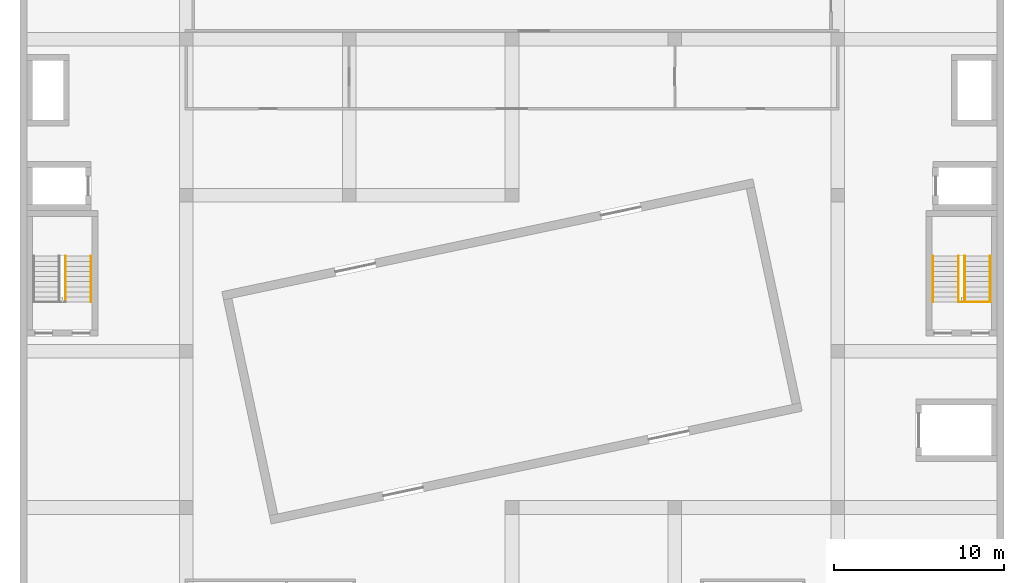
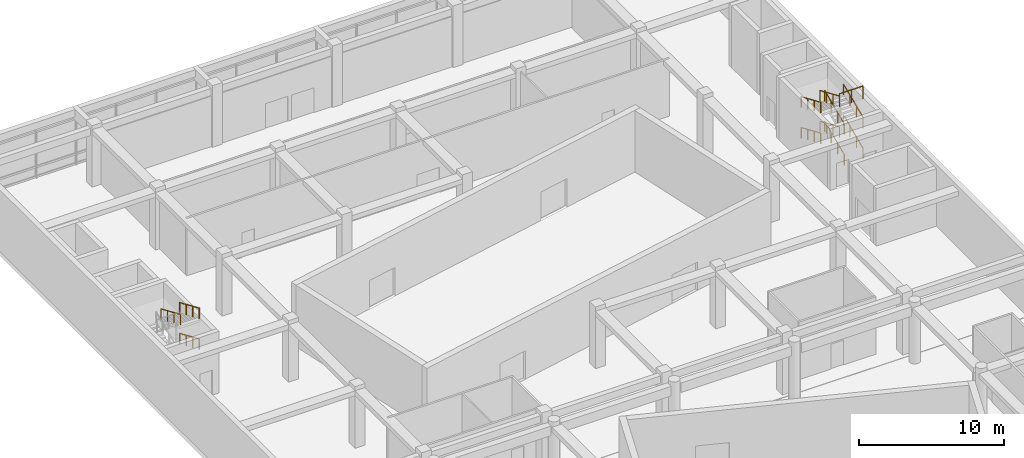
# One storey, part 18 of 31: 12 railings.
"""IFC4 building model written with IfcOpenShell, lengths in metres."""

from ifc_helpers import new_model, si_unit, direction, frame, origin, origin_2d, place, context, subcontext, project, spatial, circle, extrude, material, type_object, element, save


model = new_model("IFC4")

# Units and contexts
model_context = context("Model", 3, precision=1e-05, world=origin(), true_north=direction((0.0, 1.0)))
body_context = subcontext(model_context, "Body", "Model", "MODEL_VIEW")
ifc_project = project(units=[si_unit("LENGTHUNIT", "METRE"), si_unit("AREAUNIT", "SQUARE_METRE"), si_unit("VOLUMEUNIT", "CUBIC_METRE"), si_unit("PLANEANGLEUNIT", "RADIAN"), si_unit("MASSUNIT", "GRAM", prefix="KILO")], contexts=[model_context])

# Site, building, storey
site_placement = place(None, origin())
site = spatial("IfcSite", under=ifc_project, at=site_placement, CompositionType="ELEMENT")
building_placement = place(site_placement, origin())
building = spatial("IfcBuilding", under=site, at=building_placement, Name="Nzadi Deep Aquarium and Research Tower", CompositionType="ELEMENT")
storey_placement = place(building_placement, frame((0.0, 0.0, 26.699951171875)))
storey = spatial("IfcBuildingStorey", under=building, at=storey_placement, Name="L04", CompositionType="ELEMENT", Elevation=26.699951171875)

# Railings
ifc_material_1 = material(Name="Stainless steel 1.4301", Category="steel")
railing_type_1 = type_object("IfcRailingType", Name="GUARD 1100", PredefinedType="GUARDRAIL", material=ifc_material_1)
railing_1_placement = place(storey_placement, frame((56.989990234375, 116.110107421875, 5.199951171875)))
element("IfcRailing", 1, at=railing_1_placement, inside=storey, type_object=railing_type_1, Name="GR-ST-Z3-E-L04-TOP", PredefinedType="GUARDRAIL", context=body_context, shape_type="SweptSolid", body=[
    extrude(circle(Radius=0.02392578125, at=origin_2d()), frame((0.0, 0.0, 1.076171875), z_axis=(-1.0, 0.0, 0.0), x_axis=(0.0, -1.0, 0.0)), (0.0, 0.0, 1.0), 1.875),
    extrude(circle(Radius=0.02099609375, at=origin_2d()), origin(), (0.0, 0.0, 1.0), 1.052001953125),
    extrude(circle(Radius=0.02099609375, at=origin_2d()), frame((-0.9375, 0.0, 0.0)), (0.0, 0.0, 1.0), 1.052001953125),
    extrude(circle(Radius=0.02099609375, at=origin_2d()), frame((-1.875, 0.0, 0.0)), (0.0, 0.0, 1.0), 1.052001953125),
])
ifc_material_2 = material(Name="Stainless steel 1.4301", Category="steel")
railing_type_2 = type_object("IfcRailingType", Name="HANDRAIL 900", PredefinedType="HANDRAIL", material=ifc_material_2)
railing_2_placement = place(storey_placement, frame((3.989990234375, 118.81005859375, 1.429931640625)))
element("IfcRailing", 2, at=railing_2_placement, inside=storey, type_object=railing_type_2, Name="HR-ST-Z3-W-L04-F2", PredefinedType="HANDRAIL", context=body_context, shape_type="SweptSolid", body=[
    extrude(circle(Radius=0.02392578125, at=origin_2d()), frame((0.0, 0.0, 0.8759765625), z_axis=(0.0, -0.917532417814, 0.397660989111), x_axis=(1.0, 0.0, 0.0)), (0.0, 0.0, 1.0), 2.942626953125),
    extrude(circle(Radius=0.02099609375, at=origin_2d()), origin(), (0.0, 0.0, 1.0), 0.851806640625),
    extrude(circle(Radius=0.02099609375, at=origin_2d()), frame((0.0, -0.89990234375, 0.39013671875)), (0.0, 0.0, 1.0), 0.851806640625),
    extrude(circle(Radius=0.02099609375, at=origin_2d()), frame((0.0, -1.800048828125, 0.780029296875)), (0.0, 0.0, 1.0), 0.851806640625),
    extrude(circle(Radius=0.02099609375, at=origin_2d()), frame((0.0, -2.699951171875, 1.170166015625)), (0.0, 0.0, 1.0), 0.851806640625),
])
for number, where, name in (
    (3, (3.989990234375, 118.81005859375, 4.030029296875), "HR-ST-Z3-W-L04-F4"),
    (4, (2.485107421875, 118.81005859375, 4.030029296875), "HR-ST-Z3-W-L04-F4W"),
):
    element("IfcRailing", number, at=place(storey_placement, frame(where)), inside=storey, type_object=railing_type_2, Name=name, PredefinedType="HANDRAIL", context=body_context, shape_type="SweptSolid", body=[
        extrude(circle(Radius=0.02392578125, at=origin_2d()), frame((0.0, 0.0, 0.8759765625), z_axis=(0.0, -0.917562688074, 0.397591138552), x_axis=(1.0, 0.0, 0.0)), (0.0, 0.0, 1.0), 2.942626953125),
        extrude(circle(Radius=0.02099609375, at=origin_2d()), origin(), (0.0, 0.0, 1.0), 0.851806640625),
        extrude(circle(Radius=0.02099609375, at=origin_2d()), frame((0.0, -0.89990234375, 0.389892578125)), (0.0, 0.0, 1.0), 0.851806640625),
        extrude(circle(Radius=0.02099609375, at=origin_2d()), frame((0.0, -1.800048828125, 0.780029296875)), (0.0, 0.0, 1.0), 0.851806640625),
        extrude(circle(Radius=0.02099609375, at=origin_2d()), frame((0.0, -2.699951171875, 1.169921875)), (0.0, 0.0, 1.0), 0.851806640625),
    ])
for number, where, name in (
    (5, (56.989990234375, 116.110107421875, 0.130126953125), "HR-ST-Z3-E-L04-F1"),
    (6, (55.485107421875, 116.110107421875, 0.130126953125), "HR-ST-Z3-E-L04-F1W"),
):
    element("IfcRailing", number, at=place(storey_placement, frame(where)), inside=storey, type_object=railing_type_2, Name=name, PredefinedType="HANDRAIL", context=body_context, shape_type="SweptSolid", body=[
        extrude(circle(Radius=0.02392578125, at=origin_2d()), frame((0.0, 0.0, 0.8759765625), z_axis=(0.0, 0.917562688074, 0.397591138552), x_axis=(-1.0, 0.0, 0.0)), (0.0, 0.0, 1.0), 2.942626953125),
        extrude(circle(Radius=0.02099609375, at=origin_2d()), origin(), (0.0, 0.0, 1.0), 0.851806640625),
        extrude(circle(Radius=0.02099609375, at=origin_2d()), frame((0.0, 0.89990234375, 0.389892578125)), (0.0, 0.0, 1.0), 0.851806640625),
        extrude(circle(Radius=0.02099609375, at=origin_2d()), frame((0.0, 1.800048828125, 0.780029296875)), (0.0, 0.0, 1.0), 0.851806640625),
        extrude(circle(Radius=0.02099609375, at=origin_2d()), frame((0.0, 2.699951171875, 1.169921875)), (0.0, 0.0, 1.0), 0.851806640625),
    ])
for number, where, name in (
    (7, (53.610107421875, 118.81005859375, 1.429931640625), "HR-ST-Z3-E-L04-F2"),
    (8, (55.114990234375, 118.81005859375, 1.429931640625), "HR-ST-Z3-E-L04-F2W"),
):
    element("IfcRailing", number, at=place(storey_placement, frame(where)), inside=storey, type_object=railing_type_2, Name=name, PredefinedType="HANDRAIL", context=body_context, shape_type="SweptSolid", body=[
        extrude(circle(Radius=0.02392578125, at=origin_2d()), frame((0.0, 0.0, 0.8759765625), z_axis=(0.0, -0.917532417814, 0.397660989111), x_axis=(1.0, 0.0, 0.0)), (0.0, 0.0, 1.0), 2.942626953125),
        extrude(circle(Radius=0.02099609375, at=origin_2d()), origin(), (0.0, 0.0, 1.0), 0.851806640625),
        extrude(circle(Radius=0.02099609375, at=origin_2d()), frame((0.0, -0.89990234375, 0.39013671875)), (0.0, 0.0, 1.0), 0.851806640625),
        extrude(circle(Radius=0.02099609375, at=origin_2d()), frame((0.0, -1.800048828125, 0.780029296875)), (0.0, 0.0, 1.0), 0.851806640625),
        extrude(circle(Radius=0.02099609375, at=origin_2d()), frame((0.0, -2.699951171875, 1.170166015625)), (0.0, 0.0, 1.0), 0.851806640625),
    ])
for number, where, name in (
    (9, (56.989990234375, 116.110107421875, 2.72998046875), "HR-ST-Z3-E-L04-F3"),
    (10, (55.485107421875, 116.110107421875, 2.72998046875), "HR-ST-Z3-E-L04-F3W"),
):
    element("IfcRailing", number, at=place(storey_placement, frame(where)), inside=storey, type_object=railing_type_2, Name=name, PredefinedType="HANDRAIL", context=body_context, shape_type="SweptSolid", body=[
        extrude(circle(Radius=0.02392578125, at=origin_2d()), frame((0.0, 0.0, 0.8759765625), z_axis=(0.0, 0.917532417814, 0.397660989111), x_axis=(-1.0, 0.0, 0.0)), (0.0, 0.0, 1.0), 2.942626953125),
        extrude(circle(Radius=0.02099609375, at=origin_2d()), origin(), (0.0, 0.0, 1.0), 0.851806640625),
        extrude(circle(Radius=0.02099609375, at=origin_2d()), frame((0.0, 0.89990234375, 0.39013671875)), (0.0, 0.0, 1.0), 0.851806640625),
        extrude(circle(Radius=0.02099609375, at=origin_2d()), frame((0.0, 1.800048828125, 0.780029296875)), (0.0, 0.0, 1.0), 0.851806640625),
        extrude(circle(Radius=0.02099609375, at=origin_2d()), frame((0.0, 2.699951171875, 1.170166015625)), (0.0, 0.0, 1.0), 0.851806640625),
    ])
for number, where, name in (
    (11, (53.610107421875, 118.81005859375, 4.030029296875), "HR-ST-Z3-E-L04-F4"),
    (12, (55.114990234375, 118.81005859375, 4.030029296875), "HR-ST-Z3-E-L04-F4W"),
):
    element("IfcRailing", number, at=place(storey_placement, frame(where)), inside=storey, type_object=railing_type_2, Name=name, PredefinedType="HANDRAIL", context=body_context, shape_type="SweptSolid", body=[
        extrude(circle(Radius=0.02392578125, at=origin_2d()), frame((0.0, 0.0, 0.8759765625), z_axis=(0.0, -0.917562688074, 0.397591138552), x_axis=(1.0, 0.0, 0.0)), (0.0, 0.0, 1.0), 2.942626953125),
        extrude(circle(Radius=0.02099609375, at=origin_2d()), origin(), (0.0, 0.0, 1.0), 0.851806640625),
        extrude(circle(Radius=0.02099609375, at=origin_2d()), frame((0.0, -0.89990234375, 0.389892578125)), (0.0, 0.0, 1.0), 0.851806640625),
        extrude(circle(Radius=0.02099609375, at=origin_2d()), frame((0.0, -1.800048828125, 0.780029296875)), (0.0, 0.0, 1.0), 0.851806640625),
        extrude(circle(Radius=0.02099609375, at=origin_2d()), frame((0.0, -2.699951171875, 1.169921875)), (0.0, 0.0, 1.0), 0.851806640625),
    ])

save(model, "model.ifc")
